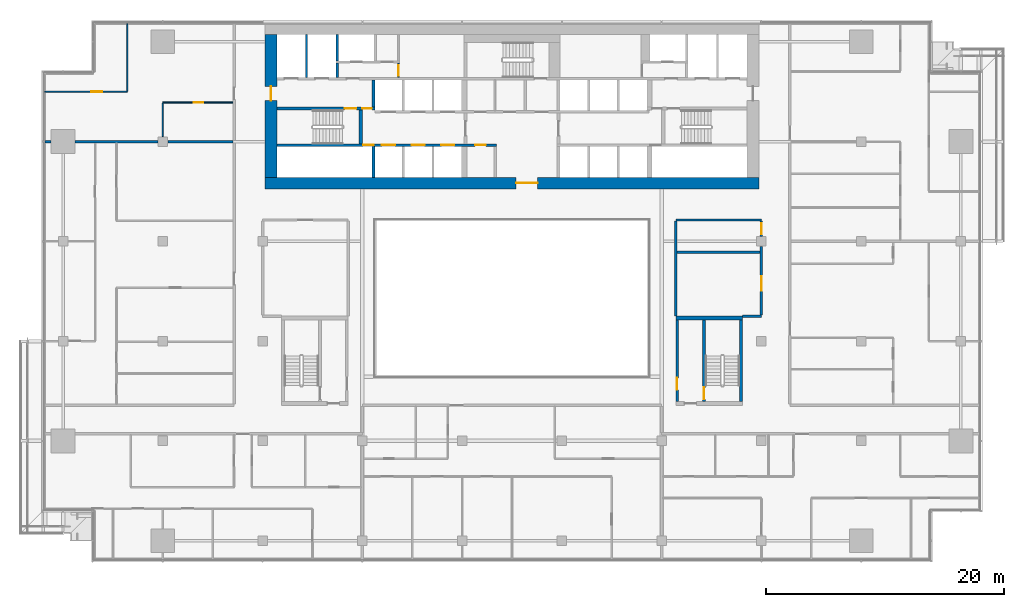
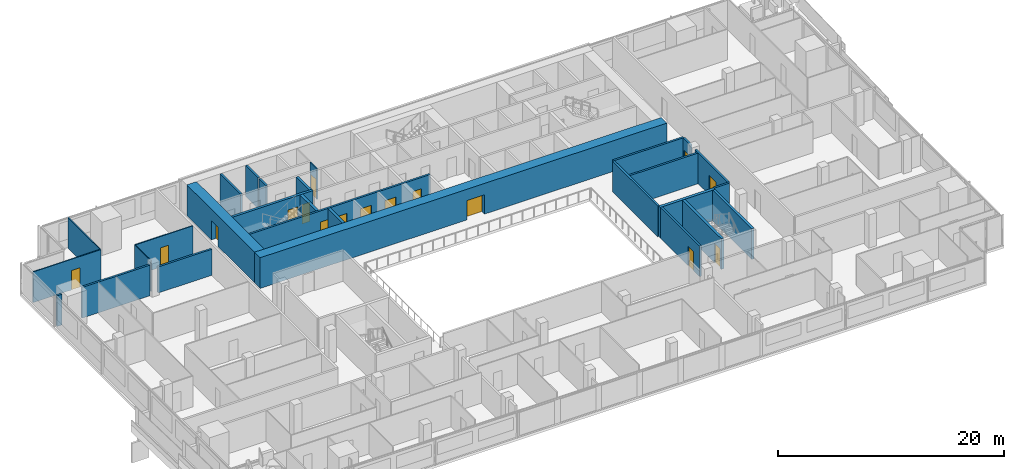
# One storey, part 18 of 27: 28 walls, 16 doors, 16 openings.
"""IFC4 building model written with IfcOpenShell, lengths in metres."""

from ifc_helpers import new_model, si_unit, direction, frame, frame_2d, origin, place, context, subcontext, project, spatial, rectangle, extrude, material, layer, layer_set, type_object, element, fill, save


model = new_model("IFC4")

# Units and contexts
model_context = context("Model", 3, precision=1e-05, world=origin(), true_north=direction((0.0, 1.0)))
body_context = subcontext(model_context, "Body", "Model", "MODEL_VIEW")
ifc_project = project(units=[si_unit("LENGTHUNIT", "METRE"), si_unit("AREAUNIT", "SQUARE_METRE"), si_unit("VOLUMEUNIT", "CUBIC_METRE"), si_unit("PLANEANGLEUNIT", "RADIAN"), si_unit("MASSUNIT", "GRAM", prefix="KILO")], contexts=[model_context])

# Site, building, storey
site_placement = place(None, origin())
site = spatial("IfcSite", under=ifc_project, at=site_placement, CompositionType="ELEMENT")
building_placement = place(site_placement, origin())
building = spatial("IfcBuilding", under=site, at=building_placement, Name="Saffron Gate Tower", CompositionType="ELEMENT")
storey_placement = place(building_placement, frame((0.0, 0.0, 134.85009765625)))
storey = spatial("IfcBuildingStorey", under=building, at=storey_placement, Name="L32", CompositionType="ELEMENT", Elevation=134.85009765625)

# Wall, opening, door
ifc_material_1 = material(Name="Gypsum board partition on steel studs", Category="steel")
ifc_layer_1 = layer(ifc_material_1, 0.199951171875)
ifc_layer_set_1 = layer_set([ifc_layer_1], Name="CW10 Core partition 200")
wall_type_1 = type_object("IfcWallType", Name="CW10 Core partition 200", PredefinedType="PARTITIONING", material=ifc_layer_set_1)
wall_1_placement = place(storey_placement, frame((101.5, 43.5, 0.0), z_axis=(0.0, 0.0, 1.0), x_axis=(0.0, 1.0, 0.0)))
wall_1 = element("IfcWall", 1, at=wall_1_placement, inside=storey, type_object=wall_type_1, Name="Wall CW10-L32-E-2", PredefinedType="PARTITIONING", context=body_context, shape_type="SweptSolid", body=[
    extrude(rectangle(XDim=6.89990234375, YDim=0.199951171875, at=frame_2d((3.449951171875, 0.0))), origin(), (0.0, 0.0, 1.0), 3.31982421875),
])
opening_1_placement = place(wall_1_placement, frame((1.0, 0.0, 0.0)))
opening_1 = element("IfcOpeningElement", 2, at=opening_1_placement, cuts=wall_1, Name="Opening CR-22", PredefinedType="OPENING", context=body_context, shape_type="SweptSolid", body=[
    extrude(rectangle(XDim=1.0, YDim=2.10009765625, at=frame_2d((0.5, 1.050048828125))), frame((0.0, 0.10986328125, 0.0), z_axis=(0.0, -1.0, 0.0), x_axis=(1.0, 0.0, 0.0)), (0.0, 0.0, 1.0), 0.219970703125),
])
ifc_material_2 = material(Name="Steel fire door set", Category="steel")
door_type_1 = type_object("IfcDoorType", Name="CD4 Lobby door 1000x2100 EI 120", OperationType="NOTDEFINED", PredefinedType="DOOR", material=ifc_material_2)
door_1_placement = place(opening_1_placement, origin())
door_1 = element("IfcDoor", 3, at=door_1_placement, inside=storey, type_object=door_type_1, Name="DOOR CR-22", OperationType="SINGLE_SWING_LEFT", OverallHeight=2.10009765625, OverallWidth=1.0, PredefinedType="DOOR", context=body_context, shape_type="SweptSolid", body=[
    extrude(rectangle(XDim=1.0, YDim=2.10009765625, at=frame_2d((0.5, 1.050048828125))), frame((0.0, 0.02490234375, 0.0), z_axis=(0.0, -1.0, 0.0), x_axis=(1.0, 0.0, 0.0)), (0.0, 0.0, 1.0), 0.050048828125),
])
fill(opening_1, door_1)

ifc_material_3 = material(Name="Concrete C70", Category="concrete")
ifc_layer_2 = layer(ifc_material_3, 1.0)
ifc_layer_set_2 = layer_set([ifc_layer_2], Name="CW12 RC core wall 1000 C70")
wall_type_2 = type_object("IfcWallType", Name="CW12 RC core wall 1000 C70", PredefinedType="SOLIDWALL", material=ifc_layer_set_2)
wall_2_placement = place(storey_placement, frame((66.800048828125, 61.89990234375, 0.0), z_axis=(0.0, 0.0, 1.0), x_axis=(1.0, 0.0, 0.0)))
wall_2 = element("IfcWall", 4, at=wall_2_placement, inside=storey, type_object=wall_type_2, Name="Wall CW12-L32-1", PredefinedType="SOLIDWALL", context=body_context, shape_type="SweptSolid", body=[
    extrude(rectangle(XDim=41.599853515625, YDim=1.0, at=frame_2d((20.7998046875, 0.0))), origin(), (0.0, 0.0, 1.0), 3.31982421875),
])
opening_2_placement = place(wall_2_placement, frame((21.14990234375, 0.0, 0.0)))
opening_2 = element("IfcOpeningElement", 5, at=opening_2_placement, cuts=wall_2, Name="Opening CR-09", PredefinedType="OPENING", context=body_context, shape_type="SweptSolid", body=[
    extrude(rectangle(XDim=1.800048828125, YDim=2.10009765625, at=frame_2d((0.89990234375, 1.050048828125))), frame((0.0, 0.510009765625, 0.0), z_axis=(0.0, -1.0, 0.0), x_axis=(1.0, 0.0, 0.0)), (0.0, 0.0, 1.0), 1.02001953125),
])
door_type_2 = type_object("IfcDoorType", Name="CD1 Core entrance door 1800x2100 EI 120", OperationType="NOTDEFINED", PredefinedType="DOOR", material=ifc_material_2)
door_2_placement = place(opening_2_placement, origin())
door_2 = element("IfcDoor", 6, at=door_2_placement, inside=storey, type_object=door_type_2, Name="DOOR CR-09", OperationType="DOUBLE_DOOR_SINGLE_SWING", OverallHeight=2.10009765625, OverallWidth=1.800048828125, PredefinedType="DOOR", context=body_context, shape_type="SweptSolid", body=[
    extrude(rectangle(XDim=1.800048828125, YDim=2.10009765625, at=frame_2d((0.89990234375, 1.050048828125))), frame((0.0, 0.02490234375, 0.0), z_axis=(0.0, -1.0, 0.0), x_axis=(1.0, 0.0, 0.0)), (0.0, 0.0, 1.0), 0.050048828125),
])
fill(opening_2, door_2)

wall_3_placement = place(storey_placement, frame((67.300048828125, 62.39990234375, 0.0), z_axis=(0.0, 0.0, 1.0), x_axis=(0.0, 1.0, 0.0)))
wall_3 = element("IfcWall", 7, at=wall_3_placement, inside=storey, type_object=wall_type_2, Name="Wall CW12-L32-3", PredefinedType="SOLIDWALL", context=body_context, shape_type="SweptSolid", body=[
    extrude(rectangle(XDim=12.0, YDim=1.0, at=frame_2d((6.0, 0.0))), origin(), (0.0, 0.0, 1.0), 3.31982421875),
])
opening_3_placement = place(wall_3_placement, frame((6.449951171875, 0.0, 0.0)))
opening_3 = element("IfcOpeningElement", 8, at=opening_3_placement, cuts=wall_3, Name="Opening CR-10", PredefinedType="OPENING", context=body_context, shape_type="SweptSolid", body=[
    extrude(rectangle(XDim=1.199951171875, YDim=2.10009765625, at=frame_2d((0.60009765625, 1.050048828125))), frame((0.0, 0.510009765625, 0.0), z_axis=(0.0, -1.0, 0.0), x_axis=(1.0, 0.0, 0.0)), (0.0, 0.0, 1.0), 1.02001953125),
])
door_type_3 = type_object("IfcDoorType", Name="CD7 Core entrance door 1200x2100 EI 120", OperationType="NOTDEFINED", PredefinedType="DOOR", material=ifc_material_2)
door_3_placement = place(opening_3_placement, origin())
door_3 = element("IfcDoor", 9, at=door_3_placement, inside=storey, type_object=door_type_3, Name="DOOR CR-10", OperationType="SINGLE_SWING_LEFT", OverallHeight=2.10009765625, OverallWidth=1.199951171875, PredefinedType="DOOR", context=body_context, shape_type="SweptSolid", body=[
    extrude(rectangle(XDim=1.199951171875, YDim=2.10009765625, at=frame_2d((0.60009765625, 1.050048828125))), frame((0.0, 0.02490234375, 0.0), z_axis=(0.0, -1.0, 0.0), x_axis=(1.0, 0.0, 0.0)), (0.0, 0.0, 1.0), 0.050048828125),
])
fill(opening_3, door_3)

# Wall
ifc_layer_3 = layer(ifc_material_3, 0.25)
ifc_layer_set_3 = layer_set([ifc_layer_3], Name="CW2 RC core wall 250 C70")
wall_type_3 = type_object("IfcWallType", Name="CW2 RC core wall 250 C70", PredefinedType="SOLIDWALL", material=ifc_layer_set_3)
wall_4_placement = place(storey_placement, frame((75.925048828125, 62.39990234375, 0.0), z_axis=(0.0, 0.0, 1.0), x_axis=(0.0, 1.0, 0.0)))
element("IfcWall", 10, at=wall_4_placement, inside=storey, type_object=wall_type_3, Name="Wall CW2-L32-5", PredefinedType="SOLIDWALL", context=body_context, shape_type="SweptSolid", body=[
    extrude(rectangle(XDim=2.60009765625, YDim=0.25, at=frame_2d((1.300048828125, 0.0))), origin(), (0.0, 0.0, 1.0), 3.31982421875),
])

# Wall, openings, doors
wall_5_placement = place(storey_placement, frame((67.800048828125, 68.175048828125, 0.0), z_axis=(0.0, 0.0, 1.0), x_axis=(1.0, 0.0, 0.0)))
wall_5 = element("IfcWall", 11, at=wall_5_placement, inside=storey, type_object=wall_type_3, Name="Wall CW2-L32-30", PredefinedType="SOLIDWALL", context=body_context, shape_type="SweptSolid", body=[
    extrude(rectangle(XDim=8.25, YDim=0.25, at=frame_2d((4.125, 0.0))), origin(), (0.0, 0.0, 1.0), 3.31982421875),
])
opening_4_placement = place(wall_5_placement, frame((5.699951171875, 0.0, 0.0)))
opening_4 = element("IfcOpeningElement", 12, at=opening_4_placement, cuts=wall_5, Name="Opening CR-15", PredefinedType="OPENING", context=body_context, shape_type="SweptSolid", body=[
    extrude(rectangle(XDim=1.0, YDim=2.10009765625, at=frame_2d((0.5, 1.050048828125))), frame((0.0, 0.135009765625, 0.0), z_axis=(0.0, -1.0, 0.0), x_axis=(1.0, 0.0, 0.0)), (0.0, 0.0, 1.0), 0.27001953125),
])
opening_5_placement = place(wall_5_placement, frame((7.199951171875, 0.0, 0.0)))
opening_5 = element("IfcOpeningElement", 13, at=opening_5_placement, cuts=wall_5, Name="Opening CR-06", PredefinedType="OPENING", context=body_context, shape_type="SweptSolid", body=[
    extrude(rectangle(XDim=0.800048828125, YDim=2.10009765625, at=frame_2d((0.39990234375, 1.050048828125))), frame((0.0, 0.135009765625, 0.0), z_axis=(0.0, -1.0, 0.0), x_axis=(1.0, 0.0, 0.0)), (0.0, 0.0, 1.0), 0.27001953125),
])
door_type_4 = type_object("IfcDoorType", Name="CD5 Stair door 1000x2100 EI 120", OperationType="NOTDEFINED", PredefinedType="DOOR", material=ifc_material_2)
door_4_placement = place(opening_4_placement, origin())
door_4 = element("IfcDoor", 14, at=door_4_placement, inside=storey, type_object=door_type_4, Name="DOOR CR-15", OperationType="SINGLE_SWING_RIGHT", OverallHeight=2.10009765625, OverallWidth=1.0, PredefinedType="DOOR", context=body_context, shape_type="SweptSolid", body=[
    extrude(rectangle(XDim=1.0, YDim=2.10009765625, at=frame_2d((0.5, 1.050048828125))), frame((0.0, 0.02490234375, 0.0), z_axis=(0.0, -1.0, 0.0), x_axis=(1.0, 0.0, 0.0)), (0.0, 0.0, 1.0), 0.050048828125),
])
fill(opening_4, door_4)
door_type_5 = type_object("IfcDoorType", Name="CD6 Lobby door 800x2100 EI 120", OperationType="NOTDEFINED", PredefinedType="DOOR", material=ifc_material_2)
door_5_placement = place(opening_5_placement, origin())
door_5 = element("IfcDoor", 15, at=door_5_placement, inside=storey, type_object=door_type_5, Name="DOOR CR-06", OperationType="SINGLE_SWING_LEFT", OverallHeight=2.10009765625, OverallWidth=0.800048828125, PredefinedType="DOOR", context=body_context, shape_type="SweptSolid", body=[
    extrude(rectangle(XDim=0.800048828125, YDim=2.10009765625, at=frame_2d((0.39990234375, 1.050048828125))), frame((0.0, 0.02490234375, 0.0), z_axis=(0.0, -1.0, 0.0), x_axis=(1.0, 0.0, 0.0)), (0.0, 0.0, 1.0), 0.050048828125),
])
fill(opening_5, door_5)

# Wall
wall_6_placement = place(storey_placement, frame((75.925048828125, 68.300048828125, 0.0), z_axis=(0.0, 0.0, 1.0), x_axis=(0.0, 1.0, 0.0)))
element("IfcWall", 16, at=wall_6_placement, inside=storey, type_object=wall_type_3, Name="Wall CW2-L32-32", PredefinedType="SOLIDWALL", context=body_context, shape_type="SweptSolid", body=[
    extrude(rectangle(XDim=2.300048828125, YDim=0.25, at=frame_2d((1.14990234375, 0.0))), origin(), (0.0, 0.0, 1.0), 3.31982421875),
])

# Wall, opening, door
wall_7_placement = place(storey_placement, frame((103.77490234375, 43.5, 0.0), z_axis=(0.0, 0.0, 1.0), x_axis=(0.0, 1.0, 0.0)))
wall_7 = element("IfcWall", 17, at=wall_7_placement, inside=storey, type_object=wall_type_3, Name="Wall CW2-L32-E-3", PredefinedType="SOLIDWALL", context=body_context, shape_type="SweptSolid", body=[
    extrude(rectangle(XDim=6.89990234375, YDim=0.25, at=frame_2d((3.449951171875, 0.0))), origin(), (0.0, 0.0, 1.0), 3.31982421875),
])
opening_6_placement = place(wall_7_placement, frame((0.199951171875, 0.0, 0.0)))
opening_6 = element("IfcOpeningElement", 18, at=opening_6_placement, cuts=wall_7, Name="Opening CR-23", PredefinedType="OPENING", context=body_context, shape_type="SweptSolid", body=[
    extrude(rectangle(XDim=1.0, YDim=2.10009765625, at=frame_2d((0.5, 1.050048828125))), frame((0.0, 0.135009765625, 0.0), z_axis=(0.0, -1.0, 0.0), x_axis=(1.0, 0.0, 0.0)), (0.0, 0.0, 1.0), 0.27001953125),
])
door_6_placement = place(opening_6_placement, origin())
door_6 = element("IfcDoor", 19, at=door_6_placement, inside=storey, type_object=door_type_4, Name="DOOR CR-23", OperationType="SINGLE_SWING_RIGHT", OverallHeight=2.10009765625, OverallWidth=1.0, PredefinedType="DOOR", context=body_context, shape_type="SweptSolid", body=[
    extrude(rectangle(XDim=1.0, YDim=2.10009765625, at=frame_2d((0.5, 1.050048828125))), frame((0.0, 0.02490234375, 0.0), z_axis=(0.0, -1.0, 0.0), x_axis=(1.0, 0.0, 0.0)), (0.0, 0.0, 1.0), 0.050048828125),
])
fill(opening_6, door_6)

# Wall
wall_8_placement = place(storey_placement, frame((106.875, 43.5, 0.0), z_axis=(0.0, 0.0, 1.0), x_axis=(0.0, 1.0, 0.0)))
element("IfcWall", 20, at=wall_8_placement, inside=storey, type_object=wall_type_3, Name="Wall CW2-L32-E-4", PredefinedType="SOLIDWALL", context=body_context, shape_type="SweptSolid", body=[
    extrude(rectangle(XDim=6.89990234375, YDim=0.25, at=frame_2d((3.449951171875, 0.0))), origin(), (0.0, 0.0, 1.0), 3.31982421875),
])

# Wall, openings, doors
ifc_layer_4 = layer(ifc_material_3, 0.199951171875)
ifc_layer_set_4 = layer_set([ifc_layer_4], Name="CW3 RC core wall 200 C70")
wall_type_4 = type_object("IfcWallType", Name="CW3 RC core wall 200 C70", PredefinedType="SOLIDWALL", material=ifc_layer_set_4)
wall_9_placement = place(storey_placement, frame((67.800048828125, 65.10009765625, 0.0), z_axis=(0.0, 0.0, 1.0), x_axis=(1.0, 0.0, 0.0)))
wall_9 = element("IfcWall", 21, at=wall_9_placement, inside=storey, type_object=wall_type_4, Name="Wall CW3-L32-14", PredefinedType="SOLIDWALL", context=body_context, shape_type="SweptSolid", body=[
    extrude(rectangle(XDim=18.5, YDim=0.199951171875, at=frame_2d((9.25, 0.0))), origin(), (0.0, 0.0, 1.0), 3.31982421875),
])
opening_7_placement = place(wall_9_placement, frame((7.27001953125, 0.0, 0.0)))
opening_7 = element("IfcOpeningElement", 22, at=opening_7_placement, cuts=wall_9, Name="Opening CR-49", PredefinedType="OPENING", context=body_context, shape_type="SweptSolid", body=[
    extrude(rectangle(XDim=0.89990234375, YDim=2.10009765625, at=frame_2d((0.449951171875, 1.050048828125))), frame((0.0, 0.10986328125, 0.0), z_axis=(0.0, -1.0, 0.0), x_axis=(1.0, 0.0, 0.0)), (0.0, 0.0, 1.0), 0.219970703125),
])
opening_8_placement = place(wall_9_placement, frame((8.85009765625, 0.0, 0.0)))
opening_8 = element("IfcOpeningElement", 23, at=opening_8_placement, cuts=wall_9, Name="Opening LD-LR1", PredefinedType="OPENING", context=body_context, shape_type="SweptSolid", body=[
    extrude(rectangle(XDim=1.10009765625, YDim=2.10009765625, at=frame_2d((0.550048828125, 1.050048828125))), frame((0.0, 0.10986328125, 0.0), z_axis=(0.0, -1.0, 0.0), x_axis=(1.0, 0.0, 0.0)), (0.0, 0.0, 1.0), 0.219970703125),
])
opening_9_placement = place(wall_9_placement, frame((11.35009765625, 0.0, 0.0)))
opening_9 = element("IfcOpeningElement", 24, at=opening_9_placement, cuts=wall_9, Name="Opening LD-LR2", PredefinedType="OPENING", context=body_context, shape_type="SweptSolid", body=[
    extrude(rectangle(XDim=1.10009765625, YDim=2.10009765625, at=frame_2d((0.550048828125, 1.050048828125))), frame((0.0, 0.10986328125, 0.0), z_axis=(0.0, -1.0, 0.0), x_axis=(1.0, 0.0, 0.0)), (0.0, 0.0, 1.0), 0.219970703125),
])
opening_10_placement = place(wall_9_placement, frame((13.85009765625, 0.0, 0.0)))
opening_10 = element("IfcOpeningElement", 25, at=opening_10_placement, cuts=wall_9, Name="Opening LD-LR3", PredefinedType="OPENING", context=body_context, shape_type="SweptSolid", body=[
    extrude(rectangle(XDim=1.10009765625, YDim=2.10009765625, at=frame_2d((0.550048828125, 1.050048828125))), frame((0.0, 0.10986328125, 0.0), z_axis=(0.0, -1.0, 0.0), x_axis=(1.0, 0.0, 0.0)), (0.0, 0.0, 1.0), 0.219970703125),
])
opening_11_placement = place(wall_9_placement, frame((16.699951171875, 0.0, 0.0)))
opening_11 = element("IfcOpeningElement", 26, at=opening_11_placement, cuts=wall_9, Name="Opening CR-69", PredefinedType="OPENING", context=body_context, shape_type="SweptSolid", body=[
    extrude(rectangle(XDim=0.89990234375, YDim=2.10009765625, at=frame_2d((0.449951171875, 1.050048828125))), frame((0.0, 0.10986328125, 0.0), z_axis=(0.0, -1.0, 0.0), x_axis=(1.0, 0.0, 0.0)), (0.0, 0.0, 1.0), 0.219970703125),
])
door_type_6 = type_object("IfcDoorType", Name="CD2 Riser door 900x2100 EI 60", OperationType="NOTDEFINED", PredefinedType="DOOR", material=ifc_material_2)
door_7_placement = place(opening_7_placement, origin())
door_7 = element("IfcDoor", 27, at=door_7_placement, inside=storey, type_object=door_type_6, Name="DOOR CR-49", OperationType="SINGLE_SWING_LEFT", OverallHeight=2.10009765625, OverallWidth=0.89990234375, PredefinedType="DOOR", context=body_context, shape_type="SweptSolid", body=[
    extrude(rectangle(XDim=0.89990234375, YDim=2.10009765625, at=frame_2d((0.449951171875, 1.050048828125))), frame((0.0, 0.02490234375, 0.0), z_axis=(0.0, -1.0, 0.0), x_axis=(1.0, 0.0, 0.0)), (0.0, 0.0, 1.0), 0.050048828125),
])
fill(opening_7, door_7)
door_type_7 = type_object("IfcDoorType", Name="CD9 Room door 900x2100 EI 60", OperationType="NOTDEFINED", PredefinedType="DOOR", material=ifc_material_2)
door_8_placement = place(opening_11_placement, origin())
door_8 = element("IfcDoor", 28, at=door_8_placement, inside=storey, type_object=door_type_7, Name="DOOR CR-69", OperationType="SINGLE_SWING_RIGHT", OverallHeight=2.10009765625, OverallWidth=0.89990234375, PredefinedType="DOOR", context=body_context, shape_type="SweptSolid", body=[
    extrude(rectangle(XDim=0.89990234375, YDim=2.10009765625, at=frame_2d((0.449951171875, 1.050048828125))), frame((0.0, 0.02490234375, 0.0), z_axis=(0.0, -1.0, 0.0), x_axis=(1.0, 0.0, 0.0)), (0.0, 0.0, 1.0), 0.050048828125),
])
fill(opening_11, door_8)
ifc_material_4 = material(Name="Stainless steel landing door", Category="steel")
door_type_8 = type_object("IfcDoorType", Name="LD Lift landing door 1100x2100 EI 120", OperationType="SLIDING_TO_LEFT", PredefinedType="DOOR", material=ifc_material_4)
door_9_placement = place(opening_8_placement, origin())
door_9 = element("IfcDoor", 29, at=door_9_placement, inside=storey, type_object=door_type_8, Name="LANDING DOOR LD-LR1", OperationType="SLIDING_TO_LEFT", OverallHeight=2.10009765625, OverallWidth=1.10009765625, PredefinedType="DOOR", context=body_context, shape_type="SweptSolid", body=[
    extrude(rectangle(XDim=1.10009765625, YDim=2.10009765625, at=frame_2d((0.550048828125, 1.050048828125))), frame((0.0, 0.02490234375, 0.0), z_axis=(0.0, -1.0, 0.0), x_axis=(1.0, 0.0, 0.0)), (0.0, 0.0, 1.0), 0.050048828125),
])
fill(opening_8, door_9)
door_10_placement = place(opening_9_placement, origin())
door_10 = element("IfcDoor", 30, at=door_10_placement, inside=storey, type_object=door_type_8, Name="LANDING DOOR LD-LR2", OperationType="SLIDING_TO_LEFT", OverallHeight=2.10009765625, OverallWidth=1.10009765625, PredefinedType="DOOR", context=body_context, shape_type="SweptSolid", body=[
    extrude(rectangle(XDim=1.10009765625, YDim=2.10009765625, at=frame_2d((0.550048828125, 1.050048828125))), frame((0.0, 0.02490234375, 0.0), z_axis=(0.0, -1.0, 0.0), x_axis=(1.0, 0.0, 0.0)), (0.0, 0.0, 1.0), 0.050048828125),
])
fill(opening_9, door_10)
door_11_placement = place(opening_10_placement, origin())
door_11 = element("IfcDoor", 31, at=door_11_placement, inside=storey, type_object=door_type_8, Name="LANDING DOOR LD-LR3", OperationType="SLIDING_TO_LEFT", OverallHeight=2.10009765625, OverallWidth=1.10009765625, PredefinedType="DOOR", context=body_context, shape_type="SweptSolid", body=[
    extrude(rectangle(XDim=1.10009765625, YDim=2.10009765625, at=frame_2d((0.550048828125, 1.050048828125))), frame((0.0, 0.02490234375, 0.0), z_axis=(0.0, -1.0, 0.0), x_axis=(1.0, 0.0, 0.0)), (0.0, 0.0, 1.0), 0.050048828125),
])
fill(opening_10, door_11)

# Walls
wall_10_placement = place(storey_placement, frame((70.300048828125, 70.800048828125, 0.0), z_axis=(0.0, 0.0, 1.0), x_axis=(0.0, 1.0, 0.0)))
element("IfcWall", 32, at=wall_10_placement, inside=storey, type_object=wall_type_4, Name="Wall CW3-L32-35", PredefinedType="SOLIDWALL", context=body_context, shape_type="SweptSolid", body=[
    extrude(rectangle(XDim=3.599853515625, YDim=0.199951171875, at=frame_2d((1.7998046875, 0.0))), origin(), (0.0, 0.0, 1.0), 3.31982421875),
])
wall_11_placement = place(storey_placement, frame((72.89990234375, 70.800048828125, 0.0), z_axis=(0.0, 0.0, 1.0), x_axis=(0.0, 1.0, 0.0)))
element("IfcWall", 33, at=wall_11_placement, inside=storey, type_object=wall_type_4, Name="Wall CW3-L32-36", PredefinedType="SOLIDWALL", context=body_context, shape_type="SweptSolid", body=[
    extrude(rectangle(XDim=1.199951171875, YDim=0.199951171875, at=frame_2d((0.60009765625, 0.0))), origin(), (0.0, 0.0, 1.0), 3.31982421875),
])
wall_12_placement = place(storey_placement, frame((72.89990234375, 72.199951171875, 0.0), z_axis=(0.0, 0.0, 1.0), x_axis=(0.0, 1.0, 0.0)))
element("IfcWall", 34, at=wall_12_placement, inside=storey, type_object=wall_type_4, Name="Wall CW3-L32-45", PredefinedType="SOLIDWALL", context=body_context, shape_type="SweptSolid", body=[
    extrude(rectangle(XDim=2.199951171875, YDim=0.199951171875, at=frame_2d((1.10009765625, 0.0))), origin(), (0.0, 0.0, 1.0), 3.31982421875),
])
ifc_layer_5 = layer(ifc_material_3, 0.300048828125)
ifc_layer_set_5 = layer_set([ifc_layer_5], Name="CW5 RC core wall 300 C70")
wall_type_5 = type_object("IfcWallType", Name="CW5 RC core wall 300 C70", PredefinedType="SOLIDWALL", material=ifc_layer_set_5)
wall_13_placement = place(storey_placement, frame((74.85009765625, 65.199951171875, 0.0), z_axis=(0.0, 0.0, 1.0), x_axis=(0.0, 1.0, 0.0)))
element("IfcWall", 35, at=wall_13_placement, inside=storey, type_object=wall_type_5, Name="Wall CW5-L32-16", PredefinedType="SOLIDWALL", context=body_context, shape_type="SweptSolid", body=[
    extrude(rectangle(XDim=2.85009765625, YDim=0.300048828125, at=frame_2d((1.425048828125, 0.0))), origin(), (0.0, 0.0, 1.0), 3.31982421875),
])
wall_14_placement = place(storey_placement, frame((101.39990234375, 50.550048828125, 0.0), z_axis=(0.0, 0.0, 1.0), x_axis=(1.0, 0.0, 0.0)))
element("IfcWall", 36, at=wall_14_placement, inside=storey, type_object=wall_type_5, Name="Wall CW5-L32-E-5", PredefinedType="SOLIDWALL", context=body_context, shape_type="SweptSolid", body=[
    extrude(rectangle(XDim=5.60009765625, YDim=0.300048828125, at=frame_2d((2.800048828125, 0.0))), origin(), (0.0, 0.0, 1.0), 3.31982421875),
])

# Wall, opening, door
ifc_layer_6 = layer(ifc_material_1, 0.1201171875)
ifc_layer_set_6 = layer_set([ifc_layer_6], Name="CW8 Core partition 120")
wall_type_6 = type_object("IfcWallType", Name="CW8 Core partition 120", PredefinedType="PARTITIONING", material=ifc_layer_set_6)
wall_15_placement = place(storey_placement, frame((78.06005859375, 70.800048828125, 0.0), z_axis=(0.0, 0.0, 1.0), x_axis=(0.0, 1.0, 0.0)))
wall_15 = element("IfcWall", 37, at=wall_15_placement, inside=storey, type_object=wall_type_6, Name="Wall CW8-L32-37", PredefinedType="PARTITIONING", context=body_context, shape_type="SweptSolid", body=[
    extrude(rectangle(XDim=1.199951171875, YDim=0.1201171875, at=frame_2d((0.60009765625, 0.0))), origin(), (0.0, 0.0, 1.0), 3.31982421875),
])
opening_12_placement = place(wall_15_placement, frame((0.14990234375, 0.0, 0.0)))
opening_12 = element("IfcOpeningElement", 38, at=opening_12_placement, cuts=wall_15, Name="Opening CR-60", PredefinedType="OPENING", context=body_context, shape_type="SweptSolid", body=[
    extrude(rectangle(XDim=0.89990234375, YDim=2.10009765625, at=frame_2d((0.449951171875, 1.050048828125))), frame((0.0, 0.070068359375, 0.0), z_axis=(0.0, -1.0, 0.0), x_axis=(1.0, 0.0, 0.0)), (0.0, 0.0, 1.0), 0.14013671875),
])
door_12_placement = place(opening_12_placement, origin())
door_12 = element("IfcDoor", 39, at=door_12_placement, inside=storey, type_object=door_type_7, Name="DOOR CR-60", OperationType="SINGLE_SWING_RIGHT", OverallHeight=2.10009765625, OverallWidth=0.89990234375, PredefinedType="DOOR", context=body_context, shape_type="SweptSolid", body=[
    extrude(rectangle(XDim=0.89990234375, YDim=2.10009765625, at=frame_2d((0.449951171875, 1.050048828125))), frame((0.0, 0.02490234375, 0.0), z_axis=(0.0, -1.0, 0.0), x_axis=(1.0, 0.0, 0.0)), (0.0, 0.0, 1.0), 0.050048828125),
])
fill(opening_12, door_12)

ifc_material_5 = material(Name="Plasterboard on steel studs", Category="steel")
ifc_layer_7 = layer(ifc_material_5, 0.10009765625)
ifc_layer_set_7 = layer_set([ifc_layer_7], Name="PW1 Partition 100")
wall_type_7 = type_object("IfcWallType", Name="PW1 Partition 100", PredefinedType="PARTITIONING", material=ifc_layer_set_7)
wall_16_placement = place(storey_placement, frame((64.10009765625, 68.699951171875, 0.0), z_axis=(0.0, 0.0, 1.0), x_axis=(-1.0, 0.0, 0.0)))
wall_16 = element("IfcWall", 40, at=wall_16_placement, inside=storey, type_object=wall_type_7, Name="Partition B4-49", PredefinedType="PARTITIONING", context=body_context, shape_type="SweptSolid", body=[
    extrude(rectangle(XDim=5.900146484375, YDim=0.10009765625, at=frame_2d((2.9501953125, 0.0))), origin(), (0.0, 0.0, 1.0), 3.31982421875),
])
opening_13_placement = place(wall_16_placement, frame((2.5, 0.0, 0.0)))
opening_13 = element("IfcOpeningElement", 41, at=opening_13_placement, cuts=wall_16, Name="Opening B4-44", PredefinedType="OPENING", context=body_context, shape_type="SweptSolid", body=[
    extrude(rectangle(XDim=0.800048828125, YDim=2.10009765625, at=frame_2d((0.39990234375, 1.050048828125))), frame((0.0, 0.06005859375, 0.0), z_axis=(0.0, -1.0, 0.0), x_axis=(1.0, 0.0, 0.0)), (0.0, 0.0, 1.0), 0.1201171875),
])
ifc_material_6 = material(Name="Timber door set", Category="wood")
door_type_9 = type_object("IfcDoorType", Name="RD2 Bathroom door 800x2100", OperationType="NOTDEFINED", PredefinedType="DOOR", material=ifc_material_6)
door_13_placement = place(opening_13_placement, origin())
door_13 = element("IfcDoor", 42, at=door_13_placement, inside=storey, type_object=door_type_9, Name="Door B4-44", OperationType="SINGLE_SWING_LEFT", OverallHeight=2.10009765625, OverallWidth=0.800048828125, PredefinedType="DOOR", context=body_context, shape_type="SweptSolid", body=[
    extrude(rectangle(XDim=0.800048828125, YDim=2.10009765625, at=frame_2d((0.39990234375, 1.050048828125))), frame((0.0, 0.02490234375, 0.0), z_axis=(0.0, -1.0, 0.0), x_axis=(1.0, 0.0, 0.0)), (0.0, 0.0, 1.0), 0.050048828125),
])
fill(opening_13, door_13)

wall_17_placement = place(storey_placement, frame((48.280029296875, 69.60009765625, 0.0), z_axis=(0.0, 0.0, 1.0), x_axis=(1.0, 0.0, 0.0)))
wall_17 = element("IfcWall", 43, at=wall_17_placement, inside=storey, type_object=wall_type_7, Name="Partition B4-50", PredefinedType="PARTITIONING", context=body_context, shape_type="SweptSolid", body=[
    extrude(rectangle(XDim=6.919921875, YDim=0.10009765625, at=frame_2d((3.4599609375, 0.0))), origin(), (0.0, 0.0, 1.0), 3.31982421875),
])
opening_14_placement = place(wall_17_placement, frame((3.9052734375, 0.0, 0.0)))
opening_14 = element("IfcOpeningElement", 44, at=opening_14_placement, cuts=wall_17, Name="Opening B4-27", PredefinedType="OPENING", context=body_context, shape_type="SweptSolid", body=[
    extrude(rectangle(XDim=0.89990234375, YDim=2.10009765625, at=frame_2d((0.449951171875, 1.050048828125))), frame((0.0, 0.06005859375, 0.0), z_axis=(0.0, -1.0, 0.0), x_axis=(1.0, 0.0, 0.0)), (0.0, 0.0, 1.0), 0.1201171875),
])
door_type_10 = type_object("IfcDoorType", Name="RD1 Room door 900x2100", OperationType="NOTDEFINED", PredefinedType="DOOR", material=ifc_material_6)
door_14_placement = place(opening_14_placement, origin())
door_14 = element("IfcDoor", 45, at=door_14_placement, inside=storey, type_object=door_type_10, Name="Door B4-27", OperationType="SINGLE_SWING_RIGHT", OverallHeight=2.10009765625, OverallWidth=0.89990234375, PredefinedType="DOOR", context=body_context, shape_type="SweptSolid", body=[
    extrude(rectangle(XDim=0.89990234375, YDim=2.10009765625, at=frame_2d((0.449951171875, 1.050048828125))), frame((0.0, 0.02490234375, 0.0), z_axis=(0.0, -1.0, 0.0), x_axis=(1.0, 0.0, 0.0)), (0.0, 0.0, 1.0), 0.050048828125),
])
fill(opening_14, door_14)

# Walls
wall_18_placement = place(storey_placement, frame((55.199951171875, 75.320068359375, 0.0), z_axis=(0.0, 0.0, 1.0), x_axis=(0.0, -1.0, 0.0)))
element("IfcWall", 46, at=wall_18_placement, inside=storey, type_object=wall_type_7, Name="Partition B4-57", PredefinedType="PARTITIONING", context=body_context, shape_type="SweptSolid", body=[
    extrude(rectangle(XDim=5.670166015625, YDim=0.10009765625, at=frame_2d((2.8349609375, 0.0))), origin(), (0.0, 0.0, 1.0), 3.31982421875),
])
wall_19_placement = place(storey_placement, frame((58.199951171875, 68.64990234375, 0.0), z_axis=(0.0, 0.0, 1.0), x_axis=(0.0, -1.0, 0.0)))
element("IfcWall", 47, at=wall_19_placement, inside=storey, type_object=wall_type_7, Name="Partition B4-61", PredefinedType="PARTITIONING", context=body_context, shape_type="SweptSolid", body=[
    extrude(rectangle(XDim=2.829833984375, YDim=0.10009765625, at=frame_2d((1.4150390625, 0.0))), origin(), (0.0, 0.0, 1.0), 3.31982421875),
])
ifc_material_7 = material(Name="Clay brick masonry, rendered", Category="masonry")
ifc_layer_8 = layer(ifc_material_7, 0.199951171875)
ifc_layer_set_8 = layer_set([ifc_layer_8], Name="PW2 Demising wall 200")
wall_type_8 = type_object("IfcWallType", Name="PW2 Demising wall 200", PredefinedType="PARTITIONING", material=ifc_layer_set_8)
wall_20_placement = place(storey_placement, frame((48.280029296875, 65.39990234375, 0.0), z_axis=(0.0, 0.0, 1.0), x_axis=(1.0, 0.0, 0.0)))
element("IfcWall", 48, at=wall_20_placement, inside=storey, type_object=wall_type_8, Name="Wall B4-44", PredefinedType="PARTITIONING", context=body_context, shape_type="SweptSolid", body=[
    extrude(rectangle(XDim=0.5, YDim=0.199951171875, at=frame_2d((0.25, 0.0))), origin(), (0.0, 0.0, 1.0), 3.31982421875),
])
wall_21_placement = place(storey_placement, frame((50.820068359375, 65.39990234375, 0.0), z_axis=(0.0, 0.0, 1.0), x_axis=(1.0, 0.0, 0.0)))
element("IfcWall", 49, at=wall_21_placement, inside=storey, type_object=wall_type_8, Name="Wall B4-45", PredefinedType="PARTITIONING", context=body_context, shape_type="SweptSolid", body=[
    extrude(rectangle(XDim=6.9599609375, YDim=0.199951171875, at=frame_2d((3.47998046875, 0.0))), origin(), (0.0, 0.0, 1.0), 3.31982421875),
])
wall_22_placement = place(storey_placement, frame((58.6201171875, 65.39990234375, 0.0), z_axis=(0.0, 0.0, 1.0), x_axis=(1.0, 0.0, 0.0)))
element("IfcWall", 50, at=wall_22_placement, inside=storey, type_object=wall_type_8, Name="Wall B4-46", PredefinedType="PARTITIONING", context=body_context, shape_type="SweptSolid", body=[
    extrude(rectangle(XDim=5.47998046875, YDim=0.199951171875, at=frame_2d((2.739990234375, 0.0))), origin(), (0.0, 0.0, 1.0), 2.81982421875),
])
ifc_layer_9 = layer(ifc_material_7, 0.199951171875)
ifc_layer_set_9 = layer_set([ifc_layer_9], Name="PW3 Corridor wall 200")
wall_type_9 = type_object("IfcWallType", Name="PW3 Corridor wall 200", PredefinedType="PARTITIONING", material=ifc_layer_set_9)
wall_23_placement = place(storey_placement, frame((107.0, 50.699951171875, 0.0), z_axis=(0.0, 0.0, 1.0), x_axis=(1.0, 0.0, 0.0)))
element("IfcWall", 51, at=wall_23_placement, inside=storey, type_object=wall_type_9, Name="Wall B4-29", PredefinedType="PARTITIONING", context=body_context, shape_type="SweptSolid", body=[
    extrude(rectangle(XDim=1.60009765625, YDim=0.199951171875, at=frame_2d((0.800048828125, 0.0))), origin(), (0.0, 0.0, 1.0), 3.31982421875),
])
wall_24_placement = place(storey_placement, frame((101.39990234375, 58.800048828125, 0.0), z_axis=(0.0, 0.0, 1.0), x_axis=(1.0, 0.0, 0.0)))
element("IfcWall", 52, at=wall_24_placement, inside=storey, type_object=wall_type_9, Name="Wall B4-40", PredefinedType="PARTITIONING", context=body_context, shape_type="SweptSolid", body=[
    extrude(rectangle(XDim=7.2001953125, YDim=0.199951171875, at=frame_2d((3.60009765625, 0.0))), origin(), (0.0, 0.0, 1.0), 3.31982421875),
])
wall_25_placement = place(storey_placement, frame((101.39990234375, 58.699951171875, 0.0), z_axis=(0.0, 0.0, 1.0), x_axis=(0.0, -1.0, 0.0)))
element("IfcWall", 53, at=wall_25_placement, inside=storey, type_object=wall_type_9, Name="Wall B4-85", PredefinedType="PARTITIONING", context=body_context, shape_type="SweptSolid", body=[
    extrude(rectangle(XDim=8.0, YDim=0.199951171875, at=frame_2d((4.0, 0.0))), origin(), (0.0, 0.0, 1.0), 3.31982421875),
])

# Wall, opening, door
wall_26_placement = place(storey_placement, frame((108.60009765625, 50.800048828125, 0.0), z_axis=(0.0, 0.0, 1.0), x_axis=(0.0, 1.0, 0.0)))
wall_26 = element("IfcWall", 54, at=wall_26_placement, inside=storey, type_object=wall_type_9, Name="Wall B4-87", PredefinedType="PARTITIONING", context=body_context, shape_type="SweptSolid", body=[
    extrude(rectangle(XDim=5.780029296875, YDim=0.199951171875, at=frame_2d((2.89013671875, 0.0))), origin(), (0.0, 0.0, 1.0), 3.31982421875),
])
opening_15_placement = place(wall_26_placement, frame((2.050048828125, 0.0, 0.0)))
opening_15 = element("IfcOpeningElement", 55, at=opening_15_placement, cuts=wall_26, Name="Opening B4-48", PredefinedType="OPENING", context=body_context, shape_type="SweptSolid", body=[
    extrude(rectangle(XDim=1.199951171875, YDim=2.10009765625, at=frame_2d((0.60009765625, 1.050048828125))), frame((0.0, 0.10986328125, 0.0), z_axis=(0.0, -1.0, 0.0), x_axis=(1.0, 0.0, 0.0)), (0.0, 0.0, 1.0), 0.219970703125),
])
door_type_11 = type_object("IfcDoorType", Name="HD1 Hall door 1200x2100", OperationType="NOTDEFINED", PredefinedType="DOOR", material=ifc_material_6)
door_15_placement = place(opening_15_placement, origin())
door_15 = element("IfcDoor", 56, at=door_15_placement, inside=storey, type_object=door_type_11, Name="Door B4-48", OperationType="SINGLE_SWING_RIGHT", OverallHeight=2.10009765625, OverallWidth=1.199951171875, PredefinedType="DOOR", context=body_context, shape_type="SweptSolid", body=[
    extrude(rectangle(XDim=1.199951171875, YDim=2.10009765625, at=frame_2d((0.60009765625, 1.050048828125))), frame((0.0, 0.02490234375, 0.0), z_axis=(0.0, -1.0, 0.0), x_axis=(1.0, 0.0, 0.0)), (0.0, 0.0, 1.0), 0.050048828125),
])
fill(opening_15, door_15)

wall_27_placement = place(storey_placement, frame((108.60009765625, 57.419921875, 0.0), z_axis=(0.0, 0.0, 1.0), x_axis=(0.0, 1.0, 0.0)))
wall_27 = element("IfcWall", 57, at=wall_27_placement, inside=storey, type_object=wall_type_9, Name="Wall B4-88", PredefinedType="PARTITIONING", context=body_context, shape_type="SweptSolid", body=[
    extrude(rectangle(XDim=1.280029296875, YDim=0.199951171875, at=frame_2d((0.64013671875, 0.0))), origin(), (0.0, 0.0, 1.0), 3.31982421875),
])
opening_16_placement = place(wall_27_placement, frame((0.18994140625, 0.0, 0.0)))
opening_16 = element("IfcOpeningElement", 58, at=opening_16_placement, cuts=wall_27, Name="Opening B4-35", PredefinedType="OPENING", context=body_context, shape_type="SweptSolid", body=[
    extrude(rectangle(XDim=0.89990234375, YDim=2.10009765625, at=frame_2d((0.449951171875, 1.050048828125))), frame((0.0, 0.10986328125, 0.0), z_axis=(0.0, -1.0, 0.0), x_axis=(1.0, 0.0, 0.0)), (0.0, 0.0, 1.0), 0.219970703125),
])
door_16_placement = place(opening_16_placement, origin())
door_16 = element("IfcDoor", 59, at=door_16_placement, inside=storey, type_object=door_type_10, Name="Door B4-35", OperationType="SINGLE_SWING_RIGHT", OverallHeight=2.10009765625, OverallWidth=0.89990234375, PredefinedType="DOOR", context=body_context, shape_type="SweptSolid", body=[
    extrude(rectangle(XDim=0.89990234375, YDim=2.10009765625, at=frame_2d((0.449951171875, 1.050048828125))), frame((0.0, 0.02490234375, 0.0), z_axis=(0.0, -1.0, 0.0), x_axis=(1.0, 0.0, 0.0)), (0.0, 0.0, 1.0), 0.050048828125),
])
fill(opening_16, door_16)

# Wall
ifc_layer_10 = layer(ifc_material_7, 0.199951171875)
ifc_layer_set_10 = layer_set([ifc_layer_10], Name="PW5 Room wall 200")
wall_type_10 = type_object("IfcWallType", Name="PW5 Room wall 200", PredefinedType="PARTITIONING", material=ifc_layer_set_10)
wall_28_placement = place(storey_placement, frame((101.5, 56.10009765625, 0.0), z_axis=(0.0, 0.0, 1.0), x_axis=(1.0, 0.0, 0.0)))
element("IfcWall", 60, at=wall_28_placement, inside=storey, type_object=wall_type_10, Name="Wall B4-32", PredefinedType="PARTITIONING", context=body_context, shape_type="SweptSolid", body=[
    extrude(rectangle(XDim=7.0, YDim=0.199951171875, at=frame_2d((3.5, 0.0))), origin(), (0.0, 0.0, 1.0), 3.31982421875),
])

save(model, "model.ifc")
